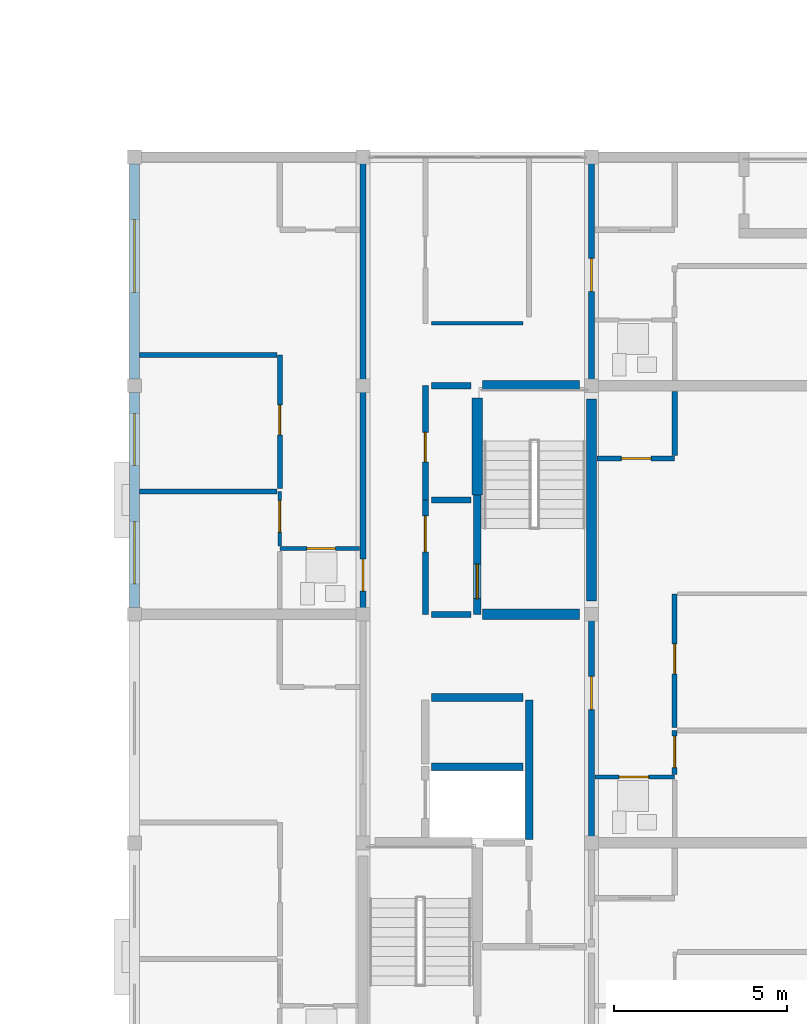
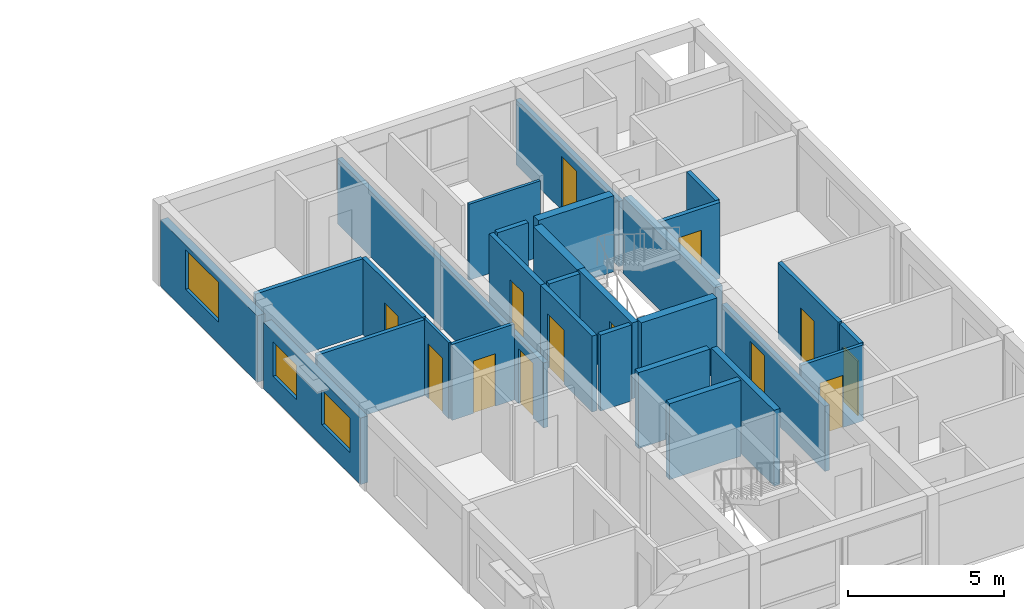
# One storey, part 29 of 49: 29 walls, 13 doors, 3 windows, 16 openings.
"""IFC4 building model written with IfcOpenShell, lengths in metres."""

from ifc_helpers import new_model, si_unit, direction, frame, frame_2d, origin, place, context, subcontext, project, spatial, rectangle, extrude, material, layer, layer_set, type_object, element, fill, save


model = new_model("IFC4")

# Units and contexts
model_context = context("Model", 3, precision=1e-05, world=origin(), true_north=direction((0.0, 1.0)))
body_context = subcontext(model_context, "Body", "Model", "MODEL_VIEW")
ifc_project = project(units=[si_unit("LENGTHUNIT", "METRE"), si_unit("AREAUNIT", "SQUARE_METRE"), si_unit("VOLUMEUNIT", "CUBIC_METRE"), si_unit("PLANEANGLEUNIT", "RADIAN"), si_unit("MASSUNIT", "GRAM", prefix="KILO")], contexts=[model_context])

# Site, building, storey
site_placement = place(None, origin())
site = spatial("IfcSite", under=ifc_project, at=site_placement, CompositionType="ELEMENT")
building_placement = place(site_placement, origin())
building = spatial("IfcBuilding", under=site, at=building_placement, Name="Kernevlak Ridge Housing Community", CompositionType="ELEMENT")
storey_placement = place(building_placement, frame((0.0, 0.0, 30.800048828125)))
storey = spatial("IfcBuildingStorey", under=building, at=storey_placement, Name="L09", CompositionType="ELEMENT", Elevation=30.800048828125)

# Wall, openings, windows
ifc_material_1 = material(Name="Concrete block masonry M10", Category="masonry")
ifc_layer_1 = layer(ifc_material_1, 0.280029296875, Name="Concrete block masonry M10")
ifc_layer_set_1 = layer_set([ifc_layer_1], Name="Concrete block masonry M10")
wall_type_1 = type_object("IfcWallType", Name="EW-03", PredefinedType="STANDARD", material=ifc_layer_set_1)
wall_1_placement = place(storey_placement, frame((126.0, 29.0, 0.0), z_axis=(0.0, 0.0, 1.0), x_axis=(0.0, 1.0, 0.0)))
wall_1 = element("IfcWall", 1, at=wall_1_placement, inside=storey, type_object=wall_type_1, Name="Exterior wall EW-03 L09 658", PredefinedType="STANDARD", context=body_context, shape_type="SweptSolid", body=[
    extrude(rectangle(XDim=6.199951171875, YDim=0.280029296875, at=frame_2d((3.10009765625, 0.0))), origin(), (0.0, 0.0, 1.0), 2.599853515625),
])
opening_1_placement = place(wall_1_placement, frame((0.675048828125, 0.0, 0.85009765625)))
opening_1 = element("IfcOpeningElement", 2, at=opening_1_placement, cuts=wall_1, Name="Opening WT-03", PredefinedType="OPENING", context=body_context, shape_type="SweptSolid", body=[
    extrude(rectangle(XDim=1.800048828125, YDim=1.35009765625, at=frame_2d((0.89990234375, 0.675048828125))), frame((0.0, 0.14990234375, 0.0), z_axis=(0.0, -1.0, 0.0), x_axis=(1.0, 0.0, 0.0)), (0.0, 0.0, 1.0), 0.300048828125),
])
opening_2_placement = place(wall_1_placement, frame((4.10009765625, 0.0, 0.85009765625)))
opening_2 = element("IfcOpeningElement", 3, at=opening_2_placement, cuts=wall_1, Name="Opening WT-02", PredefinedType="OPENING", context=body_context, shape_type="SweptSolid", body=[
    extrude(rectangle(XDim=1.5, YDim=1.35009765625, at=frame_2d((0.75, 0.675048828125))), frame((0.0, 0.14990234375, 0.0), z_axis=(0.0, -1.0, 0.0), x_axis=(1.0, 0.0, 0.0)), (0.0, 0.0, 1.0), 0.300048828125),
])
ifc_material_2 = material(Name="Aluminium EN AW-6060 anodised and laminated glass", Category="aluminium")
window_type_1 = type_object("IfcWindowType", Name="WT-02", PartitioningType="SINGLE_PANEL", PredefinedType="WINDOW", material=ifc_material_2)
window_1_placement = place(opening_2_placement, origin())
window_1 = element("IfcWindow", 4, at=window_1_placement, inside=storey, type_object=window_type_1, Name="Window WT-02 L09 536", OverallHeight=1.35009765625, OverallWidth=1.5, PartitioningType="SINGLE_PANEL", PredefinedType="WINDOW", context=body_context, shape_type="SweptSolid", body=[
    extrude(rectangle(XDim=1.5, YDim=1.35009765625, at=frame_2d((0.75, 0.675048828125))), frame((0.0, 0.030029296875, 0.0), z_axis=(0.0, -1.0, 0.0), x_axis=(1.0, 0.0, 0.0)), (0.0, 0.0, 1.0), 0.06005859375),
])
fill(opening_2, window_1)
window_type_2 = type_object("IfcWindowType", Name="WT-03", PartitioningType="SINGLE_PANEL", PredefinedType="WINDOW", material=ifc_material_2)
window_2_placement = place(opening_1_placement, origin())
window_2 = element("IfcWindow", 5, at=window_2_placement, inside=storey, type_object=window_type_2, Name="Window WT-03 L09 535", OverallHeight=1.35009765625, OverallWidth=1.800048828125, PartitioningType="SINGLE_PANEL", PredefinedType="WINDOW", context=body_context, shape_type="SweptSolid", body=[
    extrude(rectangle(XDim=1.800048828125, YDim=1.35009765625, at=frame_2d((0.89990234375, 0.675048828125))), frame((0.0, 0.030029296875, 0.0), z_axis=(0.0, -1.0, 0.0), x_axis=(1.0, 0.0, 0.0)), (0.0, 0.0, 1.0), 0.06005859375),
])
fill(opening_1, window_2)

# Wall, opening, window
wall_2_placement = place(storey_placement, frame((126.0, 35.60009765625, 0.0), z_axis=(0.0, 0.0, 1.0), x_axis=(0.0, 1.0, 0.0)))
wall_2 = element("IfcWall", 6, at=wall_2_placement, inside=storey, type_object=wall_type_1, Name="Exterior wall EW-03 L09 659", PredefinedType="STANDARD", context=body_context, shape_type="SweptSolid", body=[
    extrude(rectangle(XDim=6.199951171875, YDim=0.280029296875, at=frame_2d((3.10009765625, 0.0))), origin(), (0.0, 0.0, 1.0), 2.599853515625),
])
opening_3_placement = place(wall_2_placement, frame((2.49609375, 0.0, 0.85009765625)))
opening_3 = element("IfcOpeningElement", 7, at=opening_3_placement, cuts=wall_2, Name="Opening WT-05", PredefinedType="OPENING", context=body_context, shape_type="SweptSolid", body=[
    extrude(rectangle(XDim=2.10009765625, YDim=1.550048828125, at=frame_2d((1.050048828125, 0.77490234375))), frame((0.0, 0.14990234375, 0.0), z_axis=(0.0, -1.0, 0.0), x_axis=(1.0, 0.0, 0.0)), (0.0, 0.0, 1.0), 0.300048828125),
])
window_type_3 = type_object("IfcWindowType", Name="WT-05", PartitioningType="SINGLE_PANEL", PredefinedType="WINDOW", material=ifc_material_2)
window_3_placement = place(opening_3_placement, origin())
window_3 = element("IfcWindow", 8, at=window_3_placement, inside=storey, type_object=window_type_3, Name="Window WT-05 L09 537", OverallHeight=1.550048828125, OverallWidth=2.10009765625, PartitioningType="SINGLE_PANEL", PredefinedType="WINDOW", context=body_context, shape_type="SweptSolid", body=[
    extrude(rectangle(XDim=2.10009765625, YDim=1.550048828125, at=frame_2d((1.050048828125, 0.77490234375))), frame((0.0, 0.030029296875, 0.0), z_axis=(0.0, -1.0, 0.0), x_axis=(1.0, 0.0, 0.0)), (0.0, 0.0, 1.0), 0.06005859375),
])
fill(opening_3, window_3)

# Walls
ifc_material_3 = material(Name="Concrete C35/45", Category="concrete")
ifc_layer_2 = layer(ifc_material_3, 0.22509765625, Name="Concrete C35/45")
ifc_layer_set_2 = layer_set([ifc_layer_2], Name="Concrete C35/45")
wall_type_2 = type_object("IfcWallType", Name="PW-01", PredefinedType="STANDARD", material=ifc_layer_set_2)
wall_3_placement = place(storey_placement, frame((137.39990234375, 22.297607421875, 0.0), z_axis=(0.0, 0.0, 1.0), x_axis=(0.0, 1.0, 0.0)))
element("IfcWall", 9, at=wall_3_placement, inside=storey, type_object=wall_type_2, Name="Interior wall PW-01 WAL-INT-L09-2674", PredefinedType="STANDARD", context=body_context, shape_type="SweptSolid", body=[
    extrude(rectangle(XDim=4.0224609375, YDim=0.22509765625, at=frame_2d((2.01123046875, 0.0))), origin(), (0.0, 0.0, 1.0), 2.969970703125),
])
for number, where, z_axis, x_axis, name in (
    (10, (134.580078125, 24.39990234375, 0.0), (0.0, 0.0, 1.0), (1.0, 0.0, 0.0), "Interior wall PW-01 WAL-INT-L09-2676"),
    (11, (134.580078125, 26.39990234375, 0.0), (0.0, 0.0, 1.0), (1.0, 0.0, 0.0), "Interior wall PW-01 WAL-INT-L09-2677"),
):
    element("IfcWall", number, at=place(storey_placement, frame(where, z_axis=z_axis, x_axis=x_axis)), inside=storey, type_object=wall_type_2, Name=name, PredefinedType="STANDARD", context=body_context, shape_type="SweptSolid", body=[
        extrude(rectangle(XDim=2.639892578125, YDim=0.22509765625, at=frame_2d((1.31982421875, 0.0))), origin(), (0.0, 0.0, 1.0), 2.969970703125),
    ])

# Wall, opening, door
wall_4_placement = place(storey_placement, frame((135.89990234375, 28.800048828125, 0.0), z_axis=(0.0, 0.0, 1.0), x_axis=(0.0, 1.0, 0.0)))
wall_4 = element("IfcWall", 12, at=wall_4_placement, inside=storey, type_object=wall_type_2, Name="Interior wall PW-01 WAL-INT-L09-2678", PredefinedType="STANDARD", context=body_context, shape_type="SweptSolid", body=[
    extrude(rectangle(XDim=3.449951171875, YDim=0.22509765625, at=frame_2d((1.72509765625, 0.0))), origin(), (0.0, 0.0, 1.0), 2.969970703125),
])
opening_4_placement = place(wall_4_placement, frame((0.449951171875, 0.0, 0.0)))
opening_4 = element("IfcOpeningElement", 13, at=opening_4_placement, cuts=wall_4, Name="Opening E357", PredefinedType="OPENING", context=body_context, shape_type="SweptSolid", body=[
    extrude(rectangle(XDim=1.0, YDim=2.159912109375, at=frame_2d((0.5, 1.080078125))), frame((0.0, 0.12255859375, 0.0), z_axis=(0.0, -1.0, 0.0), x_axis=(1.0, 0.0, 0.0)), (0.0, 0.0, 1.0), 0.2451171875),
])
ifc_material_4 = material(Name="Fire-rated sheet steel leaf", Category="steel")
door_type_1 = type_object("IfcDoorType", Name="DT-15", OperationType="NOTDEFINED", PredefinedType="DOOR", material=ifc_material_4)
door_1_placement = place(opening_4_placement, origin())
door_1 = element("IfcDoor", 14, at=door_1_placement, inside=storey, type_object=door_type_1, Name="Block C Stair 2 fire door E357", OperationType="SINGLE_SWING_RIGHT", OverallHeight=2.159912109375, OverallWidth=1.0, PredefinedType="DOOR", context=body_context, shape_type="SweptSolid", body=[
    extrude(rectangle(XDim=1.0, YDim=2.159912109375, at=frame_2d((0.5, 1.080078125))), frame((0.0, 0.02490234375, 0.0), z_axis=(0.0, -1.0, 0.0), x_axis=(1.0, 0.0, 0.0)), (0.0, 0.0, 1.0), 0.050048828125),
])
fill(opening_4, door_1)

ifc_layer_3 = layer(ifc_material_1, 0.175048828125, Name="Concrete block masonry M10")
ifc_layer_set_3 = layer_set([ifc_layer_3], Name="Concrete block masonry M10")
wall_type_3 = type_object("IfcWallType", Name="PW-02", PredefinedType="PARTITIONING", material=ifc_layer_set_3)
wall_5_placement = place(storey_placement, frame((134.39990234375, 28.800048828125, 0.0), z_axis=(0.0, 0.0, 1.0), x_axis=(0.0, 1.0, 0.0)))
wall_5 = element("IfcWall", 15, at=wall_5_placement, inside=storey, type_object=wall_type_3, Name="Interior wall PW-02 WAL-INT-L09-2679", PredefinedType="PARTITIONING", context=body_context, shape_type="SweptSolid", body=[
    extrude(rectangle(XDim=3.300048828125, YDim=0.175048828125, at=frame_2d((1.64990234375, 0.0))), origin(), (0.0, 0.0, 1.0), 2.969970703125),
])
opening_5_placement = place(wall_5_placement, frame((1.800048828125, 0.0, 0.0)))
opening_5 = element("IfcOpeningElement", 16, at=opening_5_placement, cuts=wall_5, Name="Opening E358", PredefinedType="OPENING", context=body_context, shape_type="SweptSolid", body=[
    extrude(rectangle(XDim=1.0400390625, YDim=2.1201171875, at=frame_2d((0.52001953125, 1.06005859375))), frame((0.0, 0.097412109375, 0.0), z_axis=(0.0, -1.0, 0.0), x_axis=(1.0, 0.0, 0.0)), (0.0, 0.0, 1.0), 0.195068359375),
])
door_type_2 = type_object("IfcDoorType", Name="DT-16", OperationType="NOTDEFINED", PredefinedType="DOOR", material=ifc_material_4)
door_2_placement = place(opening_5_placement, origin())
door_2 = element("IfcDoor", 17, at=door_2_placement, inside=storey, type_object=door_type_2, Name="Block C Firefighting lobby 2 door E358", OperationType="SINGLE_SWING_LEFT", OverallHeight=2.1201171875, OverallWidth=1.0400390625, PredefinedType="DOOR", context=body_context, shape_type="SweptSolid", body=[
    extrude(rectangle(XDim=1.0400390625, YDim=2.1201171875, at=frame_2d((0.52001953125, 1.06005859375))), frame((0.0, 0.02490234375, 0.0), z_axis=(0.0, -1.0, 0.0), x_axis=(1.0, 0.0, 0.0)), (0.0, 0.0, 1.0), 0.050048828125),
])
fill(opening_5, door_2)

wall_6_placement = place(storey_placement, frame((134.39990234375, 32.10009765625, 0.0), z_axis=(0.0, 0.0, 1.0), x_axis=(0.0, 1.0, 0.0)))
wall_6 = element("IfcWall", 18, at=wall_6_placement, inside=storey, type_object=wall_type_3, Name="Interior wall PW-02 WAL-INT-L09-2680", PredefinedType="PARTITIONING", context=body_context, shape_type="SweptSolid", body=[
    extrude(rectangle(XDim=3.2998046875, YDim=0.175048828125, at=frame_2d((1.64990234375, 0.0))), origin(), (0.0, 0.0, 1.0), 2.969970703125),
])
opening_6_placement = place(wall_6_placement, frame((1.10009765625, 0.0, 0.0)))
opening_6 = element("IfcOpeningElement", 19, at=opening_6_placement, cuts=wall_6, Name="Opening E359", PredefinedType="OPENING", context=body_context, shape_type="SweptSolid", body=[
    extrude(rectangle(XDim=0.85009765625, YDim=2.0, at=frame_2d((0.425048828125, 1.0))), frame((0.0, 0.097412109375, 0.0), z_axis=(0.0, -1.0, 0.0), x_axis=(1.0, 0.0, 0.0)), (0.0, 0.0, 1.0), 0.195068359375),
])
door_type_3 = type_object("IfcDoorType", Name="DT-07", OperationType="NOTDEFINED", PredefinedType="DOOR", material=ifc_material_4)
door_3_placement = place(opening_6_placement, origin())
door_3 = element("IfcDoor", 20, at=door_3_placement, inside=storey, type_object=door_type_3, Name="Block C Cleaner store door E359", OperationType="SINGLE_SWING_RIGHT", OverallHeight=2.0, OverallWidth=0.85009765625, PredefinedType="DOOR", context=body_context, shape_type="SweptSolid", body=[
    extrude(rectangle(XDim=0.85009765625, YDim=2.0, at=frame_2d((0.425048828125, 1.0))), frame((0.0, 0.02490234375, 0.0), z_axis=(0.0, -1.0, 0.0), x_axis=(1.0, 0.0, 0.0)), (0.0, 0.0, 1.0), 0.050048828125),
])
fill(opening_6, door_3)

# Walls
for number, where, z_axis, x_axis, name in (
    (21, (134.580078125, 28.800048828125, 0.0), (0.0, 0.0, 1.0), (1.0, 0.0, 0.0), "Interior wall PW-02 WAL-INT-L09-2681"),
    (22, (134.580078125, 32.10009765625, 0.0), (0.0, 0.0, 1.0), (1.0, 0.0, 0.0), "Interior wall PW-02 WAL-INT-L09-2682"),
    (23, (134.580078125, 35.39990234375, 0.0), (0.0, 0.0, 1.0), (1.0, 0.0, 0.0), "Interior wall PW-02 WAL-INT-L09-2683"),
):
    element("IfcWall", number, at=place(storey_placement, frame(where, z_axis=z_axis, x_axis=x_axis)), inside=storey, type_object=wall_type_3, Name=name, PredefinedType="PARTITIONING", context=body_context, shape_type="SweptSolid", body=[
        extrude(rectangle(XDim=1.139892578125, YDim=0.175048828125, at=frame_2d((0.56982421875, 0.0))), origin(), (0.0, 0.0, 1.0), 2.969970703125),
    ])

# Wall, opening, door
wall_7_placement = place(storey_placement, frame((132.60009765625, 28.800048828125, 0.0), z_axis=(0.0, 0.0, 1.0), x_axis=(0.0, 1.0, 0.0)))
wall_7 = element("IfcWall", 24, at=wall_7_placement, inside=storey, type_object=wall_type_3, Name="Interior wall PW-02 WAL-INT-L09-2696", PredefinedType="PARTITIONING", context=body_context, shape_type="SweptSolid", body=[
    extrude(rectangle(XDim=13.199951171875, YDim=0.175048828125, at=frame_2d((6.60009765625, 0.0))), origin(), (0.0, 0.0, 1.0), 2.550048828125),
])
opening_7_placement = place(wall_7_placement, frame((0.669921875, 0.0, 0.0)))
opening_7 = element("IfcOpeningElement", 25, at=opening_7_placement, cuts=wall_7, Name="Opening E366", PredefinedType="OPENING", context=body_context, shape_type="SweptSolid", body=[
    extrude(rectangle(XDim=0.919921875, YDim=2.139892578125, at=frame_2d((0.4599609375, 1.06982421875))), frame((0.0, 0.097412109375, 0.0), z_axis=(0.0, -1.0, 0.0), x_axis=(1.0, 0.0, 0.0)), (0.0, 0.0, 1.0), 0.195068359375),
])
ifc_material_5 = material(Name="Hardwood timber solid-core fire leaf", Category="wood")
door_type_4 = type_object("IfcDoorType", Name="DT-20", OperationType="NOTDEFINED", PredefinedType="DOOR", material=ifc_material_5)
door_4_placement = place(opening_7_placement, origin())
door_4 = element("IfcDoor", 26, at=door_4_placement, inside=storey, type_object=door_type_4, Name="Flat C0912 entrance fire door E366", OperationType="SINGLE_SWING_LEFT", OverallHeight=2.139892578125, OverallWidth=0.919921875, PredefinedType="DOOR", context=body_context, shape_type="SweptSolid", body=[
    extrude(rectangle(XDim=0.919921875, YDim=2.139892578125, at=frame_2d((0.4599609375, 1.06982421875))), frame((0.0, 0.02490234375, 0.0), z_axis=(0.0, -1.0, 0.0), x_axis=(1.0, 0.0, 0.0)), (0.0, 0.0, 1.0), 0.050048828125),
])
fill(opening_7, door_4)

wall_8_placement = place(storey_placement, frame((139.199951171875, 22.199951171875, 0.0), z_axis=(0.0, 0.0, 1.0), x_axis=(0.0, 1.0, 0.0)))
wall_8 = element("IfcWall", 27, at=wall_8_placement, inside=storey, type_object=wall_type_3, Name="Interior wall PW-02 WAL-INT-L09-2713", PredefinedType="PARTITIONING", context=body_context, shape_type="SweptSolid", body=[
    extrude(rectangle(XDim=6.60009765625, YDim=0.175048828125, at=frame_2d((3.300048828125, 0.0))), origin(), (0.0, 0.0, 1.0), 2.550048828125),
])
opening_8_placement = place(wall_8_placement, frame((3.85009765625, 0.0, 0.0)))
opening_8 = element("IfcOpeningElement", 28, at=opening_8_placement, cuts=wall_8, Name="Opening E375", PredefinedType="OPENING", context=body_context, shape_type="SweptSolid", body=[
    extrude(rectangle(XDim=0.9599609375, YDim=2.179931640625, at=frame_2d((0.47998046875, 1.08984375))), frame((0.0, 0.097412109375, 0.0), z_axis=(0.0, -1.0, 0.0), x_axis=(1.0, 0.0, 0.0)), (0.0, 0.0, 1.0), 0.195068359375),
])
door_type_5 = type_object("IfcDoorType", Name="DT-29", OperationType="NOTDEFINED", PredefinedType="DOOR", material=ifc_material_5)
door_5_placement = place(opening_8_placement, origin())
door_5 = element("IfcDoor", 29, at=door_5_placement, inside=storey, type_object=door_type_5, Name="Flat C0922 entrance fire door E375", OperationType="SINGLE_SWING_RIGHT", OverallHeight=2.179931640625, OverallWidth=0.9599609375, PredefinedType="DOOR", context=body_context, shape_type="SweptSolid", body=[
    extrude(rectangle(XDim=0.9599609375, YDim=2.179931640625, at=frame_2d((0.47998046875, 1.08984375))), frame((0.0, 0.02490234375, 0.0), z_axis=(0.0, -1.0, 0.0), x_axis=(1.0, 0.0, 0.0)), (0.0, 0.0, 1.0), 0.050048828125),
])
fill(opening_8, door_5)

wall_9_placement = place(storey_placement, frame((139.199951171875, 35.39990234375, 0.0), z_axis=(0.0, 0.0, 1.0), x_axis=(0.0, 1.0, 0.0)))
wall_9 = element("IfcWall", 30, at=wall_9_placement, inside=storey, type_object=wall_type_3, Name="Interior wall PW-02 WAL-INT-L09-2722", PredefinedType="PARTITIONING", context=body_context, shape_type="SweptSolid", body=[
    extrude(rectangle(XDim=6.60009765625, YDim=0.175048828125, at=frame_2d((3.300048828125, 0.0))), origin(), (0.0, 0.0, 1.0), 2.550048828125),
])
opening_9_placement = place(wall_9_placement, frame((2.72509765625, 0.0, 0.0)))
opening_9 = element("IfcOpeningElement", 31, at=opening_9_placement, cuts=wall_9, Name="Opening E380", PredefinedType="OPENING", context=body_context, shape_type="SweptSolid", body=[
    extrude(rectangle(XDim=0.949951171875, YDim=2.10009765625, at=frame_2d((0.47509765625, 1.050048828125))), frame((0.0, 0.097412109375, 0.0), z_axis=(0.0, -1.0, 0.0), x_axis=(1.0, 0.0, 0.0)), (0.0, 0.0, 1.0), 0.195068359375),
])
door_type_6 = type_object("IfcDoorType", Name="DT-01", OperationType="NOTDEFINED", PredefinedType="DOOR", material=ifc_material_5)
door_6_placement = place(opening_9_placement, origin())
door_6 = element("IfcDoor", 32, at=door_6_placement, inside=storey, type_object=door_type_6, Name="Flat C0923 entrance fire door E380", OperationType="SINGLE_SWING_LEFT", OverallHeight=2.10009765625, OverallWidth=0.949951171875, PredefinedType="DOOR", context=body_context, shape_type="SweptSolid", body=[
    extrude(rectangle(XDim=0.949951171875, YDim=2.10009765625, at=frame_2d((0.47509765625, 1.050048828125))), frame((0.0, 0.02490234375, 0.0), z_axis=(0.0, -1.0, 0.0), x_axis=(1.0, 0.0, 0.0)), (0.0, 0.0, 1.0), 0.050048828125),
])
fill(opening_9, door_6)

# Wall
ifc_layer_4 = layer(ifc_material_1, 0.14501953125, Name="Concrete block masonry M10")
ifc_layer_set_4 = layer_set([ifc_layer_4], Name="Concrete block masonry M10")
wall_type_4 = type_object("IfcWallType", Name="PW-03", PredefinedType="PARTITIONING", material=ifc_layer_set_4)
wall_10_placement = place(storey_placement, frame((130.1201171875, 32.35009765625, 0.0), z_axis=(0.0, 0.0, 1.0), x_axis=(-1.0, 0.0, 0.0)))
element("IfcWall", 33, at=wall_10_placement, inside=storey, type_object=wall_type_4, Name="Interior wall PW-03 WAL-INT-L09-2702", PredefinedType="PARTITIONING", context=body_context, shape_type="SweptSolid", body=[
    extrude(rectangle(XDim=3.97021484375, YDim=0.14501953125, at=frame_2d((1.985107421875, 0.0))), origin(), (0.0, 0.0, 1.0), 2.969970703125),
])

# Wall, opening, door
wall_11_placement = place(storey_placement, frame((130.199951171875, 32.4326171875, 0.0), z_axis=(0.0, 0.0, 1.0), x_axis=(0.0, 1.0, 0.0)))
wall_11 = element("IfcWall", 34, at=wall_11_placement, inside=storey, type_object=wall_type_4, Name="Interior wall PW-03 WAL-INT-L09-2703", PredefinedType="PARTITIONING", context=body_context, shape_type="SweptSolid", body=[
    extrude(rectangle(XDim=3.859375, YDim=0.14501953125, at=frame_2d((1.9296875, 0.0))), origin(), (0.0, 0.0, 1.0), 2.969970703125),
])
opening_10_placement = place(wall_11_placement, frame((1.5458984375, 0.0, 0.0)))
opening_10 = element("IfcOpeningElement", 35, at=opening_10_placement, cuts=wall_11, Name="Opening E370", PredefinedType="OPENING", context=body_context, shape_type="SweptSolid", body=[
    extrude(rectangle(XDim=0.8701171875, YDim=2.080078125, at=frame_2d((0.43505859375, 1.0400390625))), frame((0.0, 0.08251953125, 0.0), z_axis=(0.0, -1.0, 0.0), x_axis=(1.0, 0.0, 0.0)), (0.0, 0.0, 1.0), 0.1650390625),
])
ifc_material_6 = material(Name="Hardwood timber leaf", Category="wood")
door_type_7 = type_object("IfcDoorType", Name="DT-32", OperationType="NOTDEFINED", PredefinedType="DOOR", material=ifc_material_6)
door_7_placement = place(opening_10_placement, origin())
door_7 = element("IfcDoor", 36, at=door_7_placement, inside=storey, type_object=door_type_7, Name="Flat C0912 bedroom door E370", OperationType="SINGLE_SWING_LEFT", OverallHeight=2.080078125, OverallWidth=0.8701171875, PredefinedType="DOOR", context=body_context, shape_type="SweptSolid", body=[
    extrude(rectangle(XDim=0.8701171875, YDim=2.080078125, at=frame_2d((0.43505859375, 1.0400390625))), frame((0.0, 0.02490234375, 0.0), z_axis=(0.0, -1.0, 0.0), x_axis=(1.0, 0.0, 0.0)), (0.0, 0.0, 1.0), 0.050048828125),
])
fill(opening_10, door_7)

# Wall
wall_12_placement = place(storey_placement, frame((130.117431640625, 36.2919921875, 0.0), z_axis=(0.0, 0.0, 1.0), x_axis=(-1.0, 0.0, 0.0)))
element("IfcWall", 37, at=wall_12_placement, inside=storey, type_object=wall_type_4, Name="Interior wall PW-03 WAL-INT-L09-2704", PredefinedType="PARTITIONING", context=body_context, shape_type="SweptSolid", body=[
    extrude(rectangle(XDim=3.967529296875, YDim=0.14501953125, at=frame_2d((1.98388671875, 0.0))), origin(), (0.0, 0.0, 1.0), 2.969970703125),
])

# Wall, opening, door
wall_13_placement = place(storey_placement, frame((141.60009765625, 24.172607421875, 0.0), z_axis=(0.0, 0.0, 1.0), x_axis=(0.0, 1.0, 0.0)))
wall_13 = element("IfcWall", 38, at=wall_13_placement, inside=storey, type_object=wall_type_4, Name="Interior wall PW-03 WAL-INT-L09-2718", PredefinedType="PARTITIONING", context=body_context, shape_type="SweptSolid", body=[
    extrude(rectangle(XDim=1.27734375, YDim=0.14501953125, at=frame_2d((0.638671875, 0.0))), origin(), (0.0, 0.0, 1.0), 2.969970703125),
])
opening_11_placement = place(wall_13_placement, frame((0.197509765625, 0.0, 0.0)))
opening_11 = element("IfcOpeningElement", 39, at=opening_11_placement, cuts=wall_13, Name="Opening E378", PredefinedType="OPENING", context=body_context, shape_type="SweptSolid", body=[
    extrude(rectangle(XDim=0.909912109375, YDim=2.139892578125, at=frame_2d((0.455078125, 1.06982421875))), frame((0.0, 0.08251953125, 0.0), z_axis=(0.0, -1.0, 0.0), x_axis=(1.0, 0.0, 0.0)), (0.0, 0.0, 1.0), 0.1650390625),
])
door_type_8 = type_object("IfcDoorType", Name="DT-31", OperationType="NOTDEFINED", PredefinedType="DOOR", material=ifc_material_6)
door_8_placement = place(opening_11_placement, origin())
door_8 = element("IfcDoor", 40, at=door_8_placement, inside=storey, type_object=door_type_8, Name="Flat C0922 bedroom door E378", OperationType="SINGLE_SWING_LEFT", OverallHeight=2.139892578125, OverallWidth=0.909912109375, PredefinedType="DOOR", context=body_context, shape_type="SweptSolid", body=[
    extrude(rectangle(XDim=0.909912109375, YDim=2.139892578125, at=frame_2d((0.455078125, 1.06982421875))), frame((0.0, 0.02490234375, 0.0), z_axis=(0.0, -1.0, 0.0), x_axis=(1.0, 0.0, 0.0)), (0.0, 0.0, 1.0), 0.050048828125),
])
fill(opening_11, door_8)

wall_14_placement = place(storey_placement, frame((141.60009765625, 25.532470703125, 0.0), z_axis=(0.0, 0.0, 1.0), x_axis=(0.0, 1.0, 0.0)))
wall_14 = element("IfcWall", 41, at=wall_14_placement, inside=storey, type_object=wall_type_4, Name="Interior wall PW-03 WAL-INT-L09-2720", PredefinedType="PARTITIONING", context=body_context, shape_type="SweptSolid", body=[
    extrude(rectangle(XDim=3.859619140625, YDim=0.14501953125, at=frame_2d((1.9296875, 0.0))), origin(), (0.0, 0.0, 1.0), 2.969970703125),
])
opening_12_placement = place(wall_14_placement, frame((1.5458984375, 0.0, 0.0)))
opening_12 = element("IfcOpeningElement", 42, at=opening_12_placement, cuts=wall_14, Name="Opening E379", PredefinedType="OPENING", context=body_context, shape_type="SweptSolid", body=[
    extrude(rectangle(XDim=0.8701171875, YDim=2.080078125, at=frame_2d((0.43505859375, 1.0400390625))), frame((0.0, 0.08251953125, 0.0), z_axis=(0.0, -1.0, 0.0), x_axis=(1.0, 0.0, 0.0)), (0.0, 0.0, 1.0), 0.1650390625),
])
door_9_placement = place(opening_12_placement, origin())
door_9 = element("IfcDoor", 43, at=door_9_placement, inside=storey, type_object=door_type_7, Name="Flat C0922 bedroom door E379", OperationType="SINGLE_SWING_RIGHT", OverallHeight=2.080078125, OverallWidth=0.8701171875, PredefinedType="DOOR", context=body_context, shape_type="SweptSolid", body=[
    extrude(rectangle(XDim=0.8701171875, YDim=2.080078125, at=frame_2d((0.43505859375, 1.0400390625))), frame((0.0, 0.02490234375, 0.0), z_axis=(0.0, -1.0, 0.0), x_axis=(1.0, 0.0, 0.0)), (0.0, 0.0, 1.0), 0.050048828125),
])
fill(opening_12, door_9)

ifc_material_7 = material(Name="Gypsum plasterboard EN 520", Category="gypsum")
ifc_layer_5 = layer(ifc_material_7, 0.125, Name="Gypsum plasterboard EN 520")
ifc_layer_set_5 = layer_set([ifc_layer_5], Name="Gypsum plasterboard EN 520")
wall_type_5 = type_object("IfcWallType", Name="PW-04", PredefinedType="PARTITIONING", material=ifc_layer_set_5)
wall_15_placement = place(storey_placement, frame((132.50244140625, 30.699951171875, 0.0), z_axis=(0.0, 0.0, 1.0), x_axis=(-1.0, 0.0, 0.0)))
wall_15 = element("IfcWall", 44, at=wall_15_placement, inside=storey, type_object=wall_type_5, Name="Interior wall PW-04 WAL-INT-L09-2697", PredefinedType="PARTITIONING", context=body_context, shape_type="SweptSolid", body=[
    extrude(rectangle(XDim=2.302490234375, YDim=0.125, at=frame_2d((1.1513671875, 0.0))), origin(), (0.0, 0.0, 1.0), 2.969970703125),
])
opening_13_placement = place(wall_15_placement, frame((0.699951171875, 0.0, 0.0)))
opening_13 = element("IfcOpeningElement", 45, at=opening_13_placement, cuts=wall_15, Name="Opening E367", PredefinedType="OPENING", context=body_context, shape_type="SweptSolid", body=[
    extrude(rectangle(XDim=0.820068359375, YDim=2.050048828125, at=frame_2d((0.41015625, 1.02490234375))), frame((0.0, 0.072509765625, 0.0), z_axis=(0.0, -1.0, 0.0), x_axis=(1.0, 0.0, 0.0)), (0.0, 0.0, 1.0), 0.14501953125),
])
ifc_material_8 = material(Name="Hardwood timber moisture-resistant leaf", Category="wood")
door_type_9 = type_object("IfcDoorType", Name="DT-30", OperationType="NOTDEFINED", PredefinedType="DOOR", material=ifc_material_8)
door_10_placement = place(opening_13_placement, origin())
door_10 = element("IfcDoor", 46, at=door_10_placement, inside=storey, type_object=door_type_9, Name="Flat C0912 bathroom door E367", OperationType="SINGLE_SWING_RIGHT", OverallHeight=2.050048828125, OverallWidth=0.820068359375, PredefinedType="DOOR", context=body_context, shape_type="SweptSolid", body=[
    extrude(rectangle(XDim=0.820068359375, YDim=2.050048828125, at=frame_2d((0.41015625, 1.02490234375))), frame((0.0, 0.02490234375, 0.0), z_axis=(0.0, -1.0, 0.0), x_axis=(1.0, 0.0, 0.0)), (0.0, 0.0, 1.0), 0.050048828125),
])
fill(opening_13, door_10)

wall_16_placement = place(storey_placement, frame((139.297607421875, 24.10009765625, 0.0), z_axis=(0.0, 0.0, 1.0), x_axis=(1.0, 0.0, 0.0)))
wall_16 = element("IfcWall", 47, at=wall_16_placement, inside=storey, type_object=wall_type_5, Name="Interior wall PW-04 WAL-INT-L09-2714", PredefinedType="PARTITIONING", context=body_context, shape_type="SweptSolid", body=[
    extrude(rectangle(XDim=2.302490234375, YDim=0.125, at=frame_2d((1.1513671875, 0.0))), origin(), (0.0, 0.0, 1.0), 2.969970703125),
])
opening_14_placement = place(wall_16_placement, frame((0.699951171875, 0.0, 0.0)))
opening_14 = element("IfcOpeningElement", 48, at=opening_14_placement, cuts=wall_16, Name="Opening E376", PredefinedType="OPENING", context=body_context, shape_type="SweptSolid", body=[
    extrude(rectangle(XDim=0.85009765625, YDim=2.0400390625, at=frame_2d((0.425048828125, 1.02001953125))), frame((0.0, 0.072509765625, 0.0), z_axis=(0.0, -1.0, 0.0), x_axis=(1.0, 0.0, 0.0)), (0.0, 0.0, 1.0), 0.14501953125),
])
door_type_10 = type_object("IfcDoorType", Name="DT-04", OperationType="NOTDEFINED", PredefinedType="DOOR", material=ifc_material_8)
door_11_placement = place(opening_14_placement, origin())
door_11 = element("IfcDoor", 49, at=door_11_placement, inside=storey, type_object=door_type_10, Name="Flat C0922 bathroom door E376", OperationType="SINGLE_SWING_LEFT", OverallHeight=2.0400390625, OverallWidth=0.85009765625, PredefinedType="DOOR", context=body_context, shape_type="SweptSolid", body=[
    extrude(rectangle(XDim=0.85009765625, YDim=2.0400390625, at=frame_2d((0.425048828125, 1.02001953125))), frame((0.0, 0.02490234375, 0.0), z_axis=(0.0, -1.0, 0.0), x_axis=(1.0, 0.0, 0.0)), (0.0, 0.0, 1.0), 0.050048828125),
])
fill(opening_14, door_11)

ifc_layer_6 = layer(ifc_material_7, 0.155029296875, Name="Gypsum plasterboard EN 520")
ifc_layer_set_6 = layer_set([ifc_layer_6], Name="Gypsum plasterboard EN 520")
wall_type_6 = type_object("IfcWallType", Name="PW-05", PredefinedType="PARTITIONING", material=ifc_layer_set_6)
wall_17_placement = place(storey_placement, frame((139.360107421875, 33.300048828125, 0.0), z_axis=(0.0, 0.0, 1.0), x_axis=(1.0, 0.0, 0.0)))
wall_17 = element("IfcWall", 50, at=wall_17_placement, inside=storey, type_object=wall_type_6, Name="Interior wall PW-05 WAL-INT-L09-2716", PredefinedType="PARTITIONING", context=body_context, shape_type="SweptSolid", body=[
    extrude(rectangle(XDim=2.239990234375, YDim=0.155029296875, at=frame_2d((1.1201171875, 0.0))), origin(), (0.0, 0.0, 1.0), 2.969970703125),
])
opening_15_placement = place(wall_17_placement, frame((0.699951171875, 0.0, 0.0)))
opening_15 = element("IfcOpeningElement", 51, at=opening_15_placement, cuts=wall_17, Name="Opening E377", PredefinedType="OPENING", context=body_context, shape_type="SweptSolid", body=[
    extrude(rectangle(XDim=0.860107421875, YDim=2.1201171875, at=frame_2d((0.43017578125, 1.06005859375))), frame((0.0, 0.08740234375, 0.0), z_axis=(0.0, -1.0, 0.0), x_axis=(1.0, 0.0, 0.0)), (0.0, 0.0, 1.0), 0.175048828125),
])
door_type_11 = type_object("IfcDoorType", Name="DT-28", OperationType="NOTDEFINED", PredefinedType="DOOR", material=ifc_material_6)
door_12_placement = place(opening_15_placement, origin())
door_12 = element("IfcDoor", 52, at=door_12_placement, inside=storey, type_object=door_type_11, Name="Flat C0922 kitchen door E377", OperationType="SINGLE_SWING_RIGHT", OverallHeight=2.1201171875, OverallWidth=0.860107421875, PredefinedType="DOOR", context=body_context, shape_type="SweptSolid", body=[
    extrude(rectangle(XDim=0.860107421875, YDim=2.1201171875, at=frame_2d((0.43017578125, 1.06005859375))), frame((0.0, 0.02490234375, 0.0), z_axis=(0.0, -1.0, 0.0), x_axis=(1.0, 0.0, 0.0)), (0.0, 0.0, 1.0), 0.050048828125),
])
fill(opening_15, door_12)

# Walls
wall_18_placement = place(storey_placement, frame((141.60009765625, 33.387451171875, 0.0), z_axis=(0.0, 0.0, 1.0), x_axis=(0.0, 1.0, 0.0)))
element("IfcWall", 53, at=wall_18_placement, inside=storey, type_object=wall_type_6, Name="Interior wall PW-05 WAL-INT-L09-2717", PredefinedType="PARTITIONING", context=body_context, shape_type="SweptSolid", body=[
    extrude(rectangle(XDim=1.8525390625, YDim=0.155029296875, at=frame_2d((0.92626953125, 0.0))), origin(), (0.0, 0.0, 1.0), 2.969970703125),
])
ifc_layer_7 = layer(ifc_material_7, 0.10498046875, Name="Gypsum plasterboard EN 520")
ifc_layer_set_7 = layer_set([ifc_layer_7], Name="Gypsum plasterboard EN 520")
wall_type_7 = type_object("IfcWallType", Name="PW-06", PredefinedType="PARTITIONING", material=ifc_layer_set_7)
wall_19_placement = place(storey_placement, frame((134.580078125, 37.199951171875, 0.0), z_axis=(0.0, 0.0, 1.0), x_axis=(1.0, 0.0, 0.0)))
element("IfcWall", 54, at=wall_19_placement, inside=storey, type_object=wall_type_7, Name="Interior wall PW-06 WAL-INT-L09-2686", PredefinedType="PARTITIONING", context=body_context, shape_type="SweptSolid", body=[
    extrude(rectangle(XDim=2.639892578125, YDim=0.10498046875, at=frame_2d((1.31982421875, 0.0))), origin(), (0.0, 0.0, 1.0), 2.969970703125),
])

# Wall, opening, door
wall_20_placement = place(storey_placement, frame((130.199951171875, 30.7724609375, 0.0), z_axis=(0.0, 0.0, 1.0), x_axis=(0.0, 1.0, 0.0)))
wall_20 = element("IfcWall", 55, at=wall_20_placement, inside=storey, type_object=wall_type_7, Name="Interior wall PW-06 WAL-INT-L09-2701", PredefinedType="PARTITIONING", context=body_context, shape_type="SweptSolid", body=[
    extrude(rectangle(XDim=1.57763671875, YDim=0.10498046875, at=frame_2d((0.788818359375, 0.0))), origin(), (0.0, 0.0, 1.0), 2.969970703125),
])
opening_16_placement = place(wall_20_placement, frame((0.39990234375, 0.0, 0.0)))
opening_16 = element("IfcOpeningElement", 56, at=opening_16_placement, cuts=wall_20, Name="Opening E369", PredefinedType="OPENING", context=body_context, shape_type="SweptSolid", body=[
    extrude(rectangle(XDim=0.909912109375, YDim=2.139892578125, at=frame_2d((0.455078125, 1.06982421875))), frame((0.0, 0.0625, 0.0), z_axis=(0.0, -1.0, 0.0), x_axis=(1.0, 0.0, 0.0)), (0.0, 0.0, 1.0), 0.125),
])
door_13_placement = place(opening_16_placement, origin())
door_13 = element("IfcDoor", 57, at=door_13_placement, inside=storey, type_object=door_type_8, Name="Flat C0912 bedroom door E369", OperationType="SINGLE_SWING_RIGHT", OverallHeight=2.139892578125, OverallWidth=0.909912109375, PredefinedType="DOOR", context=body_context, shape_type="SweptSolid", body=[
    extrude(rectangle(XDim=0.909912109375, YDim=2.139892578125, at=frame_2d((0.455078125, 1.06982421875))), frame((0.0, 0.02490234375, 0.0), z_axis=(0.0, -1.0, 0.0), x_axis=(1.0, 0.0, 0.0)), (0.0, 0.0, 1.0), 0.050048828125),
])
fill(opening_16, door_13)

# Walls
ifc_material_9 = material(Name="Concrete C40/50", Category="concrete")
ifc_layer_8 = layer(ifc_material_9, 0.300048828125, Name="Concrete C40/50")
ifc_layer_set_8 = layer_set([ifc_layer_8], Name="Concrete C40/50")
wall_type_8 = type_object("IfcWallType", Name="SW-02", PredefinedType="SHEAR", material=ifc_layer_set_8)
wall_21_placement = place(storey_placement, frame((139.199951171875, 29.179931640625, 0.0), z_axis=(0.0, 0.0, 1.0), x_axis=(0.0, 1.0, 0.0)))
element("IfcWall", 58, at=wall_21_placement, inside=storey, type_object=wall_type_8, Name="Shear wall SW-02 Block C L09 464", PredefinedType="SHEAR", context=body_context, shape_type="SweptSolid", body=[
    extrude(rectangle(XDim=5.840087890625, YDim=0.300048828125, at=frame_2d((2.919921875, 0.0))), origin(), (0.0, 0.0, 1.0), 2.969970703125),
])
for number, where, z_axis, x_axis, name in (
    (59, (135.89990234375, 32.25, 0.0), (0.0, 0.0, 1.0), (0.0, 1.0, 0.0), "Shear wall SW-02 Block C L09 465"),
    (60, (136.050048828125, 28.800048828125, 0.0), (0.0, 0.0, 1.0), (1.0, 0.0, 0.0), "Shear wall SW-02 Block C L09 466"),
    (61, (136.050048828125, 35.39990234375, 0.0), (0.0, 0.0, 1.0), (1.0, 0.0, 0.0), "Shear wall SW-02 Block C L09 467"),
):
    element("IfcWall", number, at=place(storey_placement, frame(where, z_axis=z_axis, x_axis=x_axis)), inside=storey, type_object=wall_type_8, Name=name, PredefinedType="SHEAR", context=body_context, shape_type="SweptSolid", body=[
        extrude(rectangle(XDim=2.800048828125, YDim=0.300048828125, at=frame_2d((1.39990234375, 0.0))), origin(), (0.0, 0.0, 1.0), 2.969970703125),
    ])

save(model, "model.ifc")
